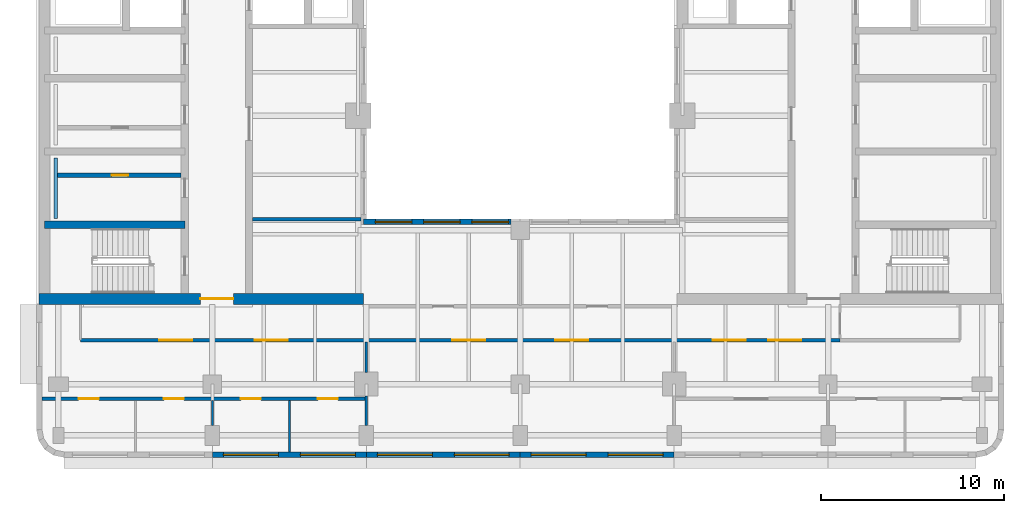
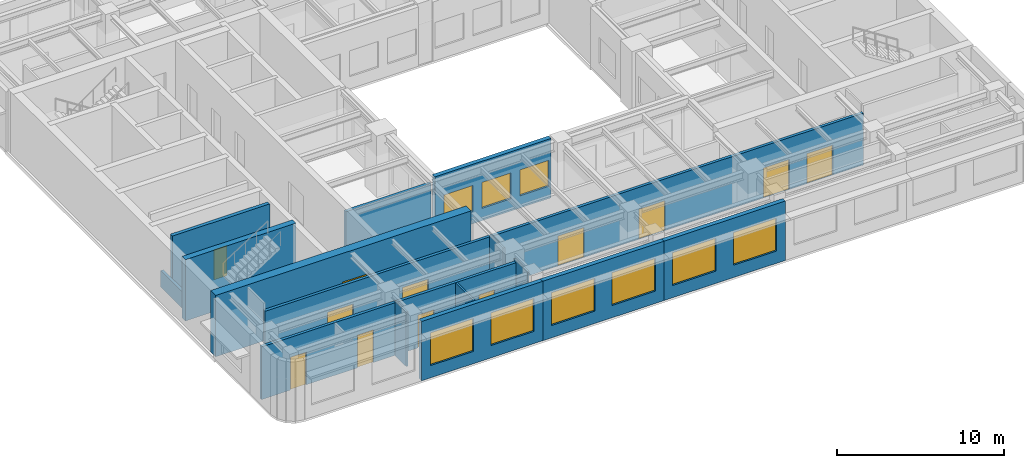
# One storey, part 3 of 11: 15 walls, 12 doors, 9 windows, 21 openings.
"""IFC4 building model written with IfcOpenShell, lengths in metres."""

from ifc_helpers import new_model, si_unit, direction, frame, frame_2d, origin, place, context, subcontext, project, spatial, rectangle, extrude, material, layer, layer_set, type_object, element, fill, save


model = new_model("IFC4")

# Units and contexts
model_context = context("Model", 3, precision=1e-05, world=origin(), true_north=direction((0.0, 1.0)))
body_context = subcontext(model_context, "Body", "Model", "MODEL_VIEW")
ifc_project = project(units=[si_unit("LENGTHUNIT", "METRE"), si_unit("AREAUNIT", "SQUARE_METRE"), si_unit("VOLUMEUNIT", "CUBIC_METRE"), si_unit("PLANEANGLEUNIT", "RADIAN"), si_unit("MASSUNIT", "GRAM", prefix="KILO")], contexts=[model_context])

# Site, building, storey
site_placement = place(None, origin())
site = spatial("IfcSite", under=ifc_project, at=site_placement, CompositionType="ELEMENT")
building_placement = place(site_placement, origin())
building = spatial("IfcBuilding", under=site, at=building_placement, Name="Claustro Exchange Tower", CompositionType="ELEMENT")
storey_placement = place(building_placement, frame((0.0, 0.0, 259.199951171875)))
storey = spatial("IfcBuildingStorey", under=building, at=storey_placement, Name="L59", CompositionType="ELEMENT", Elevation=259.199951171875)

# Walls
ifc_material_1 = material(Name="Laminated glass in aluminium frame", Category="aluminium")
ifc_layer_1 = layer(ifc_material_1, 0.1201171875)
ifc_layer_set_1 = layer_set([ifc_layer_1], Name="Laminated glass in aluminium frame")
wall_type_1 = type_object("IfcWallType", Name="P2 120 glazed partition", PredefinedType="PARTITIONING", material=ifc_layer_set_1)
wall_1_placement = place(storey_placement, frame((8.39990234375, 6.14892578125, 0.0), z_axis=(0.0, 0.0, 1.0), x_axis=(0.0, 1.0, 0.0)))
element("IfcWall", 1, at=wall_1_placement, inside=storey, type_object=wall_type_1, Name="Partition P2 L59", PredefinedType="PARTITIONING", context=body_context, shape_type="SweptSolid", body=[
    extrude(rectangle(XDim=1.35302734375, YDim=0.1201171875, at=frame_2d((0.676513671875, 0.0))), origin(), (0.0, 0.0, 1.0), 3.989990234375),
])
wall_2_placement = place(storey_placement, frame((12.60009765625, 4.699951171875, 0.0), z_axis=(0.0, 0.0, 1.0), x_axis=(0.0, 1.0, 0.0)))
element("IfcWall", 2, at=wall_2_placement, inside=storey, type_object=wall_type_1, Name="Partition P2 L59", PredefinedType="PARTITIONING", context=body_context, shape_type="SweptSolid", body=[
    extrude(rectangle(XDim=2.802001953125, YDim=0.1201171875, at=frame_2d((1.40087890625, 0.0))), origin(), (0.0, 0.0, 1.0), 3.860107421875),
])
wall_3_placement = place(storey_placement, frame((16.800048828125, 6.14892578125, 0.0), z_axis=(0.0, 0.0, 1.0), x_axis=(0.0, 1.0, 0.0)))
element("IfcWall", 3, at=wall_3_placement, inside=storey, type_object=wall_type_1, Name="Partition P2 L59", PredefinedType="PARTITIONING", context=body_context, shape_type="SweptSolid", body=[
    extrude(rectangle(XDim=1.60302734375, YDim=0.1201171875, at=frame_2d((0.801513671875, 0.0))), origin(), (0.0, 0.0, 1.0), 3.989990234375),
])
wall_4_placement = place(storey_placement, frame((16.800048828125, 9.049072265625, 0.0), z_axis=(0.0, 0.0, 1.0), x_axis=(0.0, 1.0, 0.0)))
element("IfcWall", 4, at=wall_4_placement, inside=storey, type_object=wall_type_1, Name="Partition P2 L59", PredefinedType="PARTITIONING", context=body_context, shape_type="SweptSolid", body=[
    extrude(rectangle(XDim=1.65283203125, YDim=0.1201171875, at=frame_2d((0.826416015625, 0.0))), origin(), (0.0, 0.0, 1.0), 3.989990234375),
])
ifc_material_2 = material(Name="Twin-skin gypsum board on steel studs, mineral wool", Category="steel")
ifc_layer_2 = layer(ifc_material_2, 0.199951171875)
ifc_layer_set_2 = layer_set([ifc_layer_2], Name="Twin-skin gypsum board on steel studs, mineral wool")
wall_type_2 = type_object("IfcWallType", Name="P3 200 acoustic partition", PredefinedType="PARTITIONING", material=ifc_layer_set_2)
wall_5_placement = place(storey_placement, frame((10.597900390625, 17.39990234375, 0.0), z_axis=(0.0, 0.0, 1.0), x_axis=(1.0, 0.0, 0.0)))
element("IfcWall", 5, at=wall_5_placement, inside=storey, type_object=wall_type_2, Name="Partition P3 L59", PredefinedType="PARTITIONING", context=body_context, shape_type="SweptSolid", body=[
    extrude(rectangle(XDim=5.904052734375, YDim=0.199951171875, at=frame_2d((2.9521484375, 0.0))), origin(), (0.0, 0.0, 1.0), 3.800048828125),
])

# Wall, openings, doors
wall_6_placement = place(storey_placement, frame((-0.902099609375, 7.60009765625, 0.0), z_axis=(0.0, 0.0, 1.0), x_axis=(1.0, 0.0, 0.0)))
wall_6 = element("IfcWall", 6, at=wall_6_placement, inside=storey, type_object=wall_type_2, Name="Partition P3 L59", PredefinedType="PARTITIONING", context=body_context, shape_type="SweptSolid", body=[
    extrude(rectangle(XDim=17.7021484375, YDim=0.199951171875, at=frame_2d((8.85107421875, 0.0))), origin(), (0.0, 0.0, 1.0), 3.860107421875),
])
opening_1_placement = place(wall_6_placement, frame((2.001953125, 0.0, 0.0)))
opening_1 = element("IfcOpeningElement", 7, at=opening_1_placement, cuts=wall_6, Name="Opening D8", PredefinedType="OPENING", context=body_context, shape_type="SweptSolid", body=[
    extrude(rectangle(XDim=1.10009765625, YDim=2.39990234375, at=frame_2d((0.550048828125, 1.199951171875))), frame((0.0, 0.10986328125, 0.0), z_axis=(0.0, -1.0, 0.0), x_axis=(1.0, 0.0, 0.0)), (0.0, 0.0, 1.0), 0.219970703125),
])
opening_2_placement = place(wall_6_placement, frame((6.652099609375, 0.0, 0.0)))
opening_2 = element("IfcOpeningElement", 8, at=opening_2_placement, cuts=wall_6, Name="Opening D8", PredefinedType="OPENING", context=body_context, shape_type="SweptSolid", body=[
    extrude(rectangle(XDim=1.10009765625, YDim=2.39990234375, at=frame_2d((0.550048828125, 1.199951171875))), frame((0.0, 0.10986328125, 0.0), z_axis=(0.0, -1.0, 0.0), x_axis=(1.0, 0.0, 0.0)), (0.0, 0.0, 1.0), 0.219970703125),
])
opening_3_placement = place(wall_6_placement, frame((10.85205078125, 0.0, 0.0)))
opening_3 = element("IfcOpeningElement", 9, at=opening_3_placement, cuts=wall_6, Name="Opening D8", PredefinedType="OPENING", context=body_context, shape_type="SweptSolid", body=[
    extrude(rectangle(XDim=1.10009765625, YDim=2.39990234375, at=frame_2d((0.550048828125, 1.199951171875))), frame((0.0, 0.10986328125, 0.0), z_axis=(0.0, -1.0, 0.0), x_axis=(1.0, 0.0, 0.0)), (0.0, 0.0, 1.0), 0.219970703125),
])
opening_4_placement = place(wall_6_placement, frame((15.052001953125, 0.0, 0.0)))
opening_4 = element("IfcOpeningElement", 10, at=opening_4_placement, cuts=wall_6, Name="Opening D8", PredefinedType="OPENING", context=body_context, shape_type="SweptSolid", body=[
    extrude(rectangle(XDim=1.10009765625, YDim=2.39990234375, at=frame_2d((0.550048828125, 1.199951171875))), frame((0.0, 0.10986328125, 0.0), z_axis=(0.0, -1.0, 0.0), x_axis=(1.0, 0.0, 0.0)), (0.0, 0.0, 1.0), 0.219970703125),
])
ifc_material_3 = material(Name="Timber door, walnut veneer", Category="wood")
door_type_1 = type_object("IfcDoorType", Name="D8 1100 x 2400 executive door", OperationType="SINGLE_SWING_LEFT", PredefinedType="DOOR", material=ifc_material_3)
door_1_placement = place(opening_1_placement, frame((1.10009765625, 0.0, 0.0), z_axis=(0.0, 0.0, 1.0), x_axis=(-1.0, 0.0, 0.0)))
door_1 = element("IfcDoor", 11, at=door_1_placement, inside=storey, type_object=door_type_1, Name="Door D8 L59", OperationType="SINGLE_SWING_LEFT", OverallHeight=2.39990234375, OverallWidth=1.10009765625, PredefinedType="DOOR", context=body_context, shape_type="SweptSolid", body=[
    extrude(rectangle(XDim=1.10009765625, YDim=2.39990234375, at=frame_2d((0.550048828125, 1.199951171875))), frame((0.0, 0.02490234375, 0.0), z_axis=(0.0, -1.0, 0.0), x_axis=(1.0, 0.0, 0.0)), (0.0, 0.0, 1.0), 0.050048828125),
])
fill(opening_1, door_1)
door_2_placement = place(opening_2_placement, frame((1.10009765625, 0.0, 0.0), z_axis=(0.0, 0.0, 1.0), x_axis=(-1.0, 0.0, 0.0)))
door_2 = element("IfcDoor", 12, at=door_2_placement, inside=storey, type_object=door_type_1, Name="Door D8 L59", OperationType="SINGLE_SWING_LEFT", OverallHeight=2.39990234375, OverallWidth=1.10009765625, PredefinedType="DOOR", context=body_context, shape_type="SweptSolid", body=[
    extrude(rectangle(XDim=1.10009765625, YDim=2.39990234375, at=frame_2d((0.550048828125, 1.199951171875))), frame((0.0, 0.02490234375, 0.0), z_axis=(0.0, -1.0, 0.0), x_axis=(1.0, 0.0, 0.0)), (0.0, 0.0, 1.0), 0.050048828125),
])
fill(opening_2, door_2)
door_3_placement = place(opening_3_placement, frame((1.10009765625, 0.0, 0.0), z_axis=(0.0, 0.0, 1.0), x_axis=(-1.0, 0.0, 0.0)))
door_3 = element("IfcDoor", 13, at=door_3_placement, inside=storey, type_object=door_type_1, Name="Door D8 L59", OperationType="SINGLE_SWING_LEFT", OverallHeight=2.39990234375, OverallWidth=1.10009765625, PredefinedType="DOOR", context=body_context, shape_type="SweptSolid", body=[
    extrude(rectangle(XDim=1.10009765625, YDim=2.39990234375, at=frame_2d((0.550048828125, 1.199951171875))), frame((0.0, 0.02490234375, 0.0), z_axis=(0.0, -1.0, 0.0), x_axis=(1.0, 0.0, 0.0)), (0.0, 0.0, 1.0), 0.050048828125),
])
fill(opening_3, door_3)
door_4_placement = place(opening_4_placement, frame((1.10009765625, 0.0, 0.0), z_axis=(0.0, 0.0, 1.0), x_axis=(-1.0, 0.0, 0.0)))
door_4 = element("IfcDoor", 14, at=door_4_placement, inside=storey, type_object=door_type_1, Name="Door D8 L59", OperationType="SINGLE_SWING_RIGHT", OverallHeight=2.39990234375, OverallWidth=1.10009765625, PredefinedType="DOOR", context=body_context, shape_type="SweptSolid", body=[
    extrude(rectangle(XDim=1.10009765625, YDim=2.39990234375, at=frame_2d((0.550048828125, 1.199951171875))), frame((0.0, 0.02490234375, 0.0), z_axis=(0.0, -1.0, 0.0), x_axis=(1.0, 0.0, 0.0)), (0.0, 0.0, 1.0), 0.050048828125),
])
fill(opening_4, door_4)

wall_7_placement = place(storey_placement, frame((1.199951171875, 10.800048828125, 0.0), z_axis=(0.0, 0.0, 1.0), x_axis=(1.0, 0.0, 0.0)))
wall_7 = element("IfcWall", 15, at=wall_7_placement, inside=storey, type_object=wall_type_2, Name="Partition P3 L59", PredefinedType="PARTITIONING", context=body_context, shape_type="SweptSolid", body=[
    extrude(rectangle(XDim=41.4521484375, YDim=0.199951171875, at=frame_2d((20.72607421875, 0.0))), origin(), (0.0, 0.0, 1.0), 3.800048828125),
])
opening_5_placement = place(wall_7_placement, frame((4.300048828125, 0.0, 0.0)))
opening_5 = element("IfcOpeningElement", 16, at=opening_5_placement, cuts=wall_7, Name="Opening D2", PredefinedType="OPENING", context=body_context, shape_type="SweptSolid", body=[
    extrude(rectangle(XDim=1.800048828125, YDim=2.199951171875, at=frame_2d((0.89990234375, 1.10009765625))), frame((0.0, 0.10986328125, 0.0), z_axis=(0.0, -1.0, 0.0), x_axis=(1.0, 0.0, 0.0)), (0.0, 0.0, 1.0), 0.219970703125),
])
opening_6_placement = place(wall_7_placement, frame((9.5, 0.0, 0.0)))
opening_6 = element("IfcOpeningElement", 17, at=opening_6_placement, cuts=wall_7, Name="Opening D2", PredefinedType="OPENING", context=body_context, shape_type="SweptSolid", body=[
    extrude(rectangle(XDim=1.800048828125, YDim=2.199951171875, at=frame_2d((0.89990234375, 1.10009765625))), frame((0.0, 0.10986328125, 0.0), z_axis=(0.0, -1.0, 0.0), x_axis=(1.0, 0.0, 0.0)), (0.0, 0.0, 1.0), 0.219970703125),
])
opening_7_placement = place(wall_7_placement, frame((20.300048828125, 0.0, 0.0)))
opening_7 = element("IfcOpeningElement", 18, at=opening_7_placement, cuts=wall_7, Name="Opening D2", PredefinedType="OPENING", context=body_context, shape_type="SweptSolid", body=[
    extrude(rectangle(XDim=1.800048828125, YDim=2.199951171875, at=frame_2d((0.89990234375, 1.10009765625))), frame((0.0, 0.10986328125, 0.0), z_axis=(0.0, -1.0, 0.0), x_axis=(1.0, 0.0, 0.0)), (0.0, 0.0, 1.0), 0.219970703125),
])
opening_8_placement = place(wall_7_placement, frame((25.89990234375, 0.0, 0.0)))
opening_8 = element("IfcOpeningElement", 19, at=opening_8_placement, cuts=wall_7, Name="Opening D2", PredefinedType="OPENING", context=body_context, shape_type="SweptSolid", body=[
    extrude(rectangle(XDim=1.800048828125, YDim=2.199951171875, at=frame_2d((0.89990234375, 1.10009765625))), frame((0.0, 0.10986328125, 0.0), z_axis=(0.0, -1.0, 0.0), x_axis=(1.0, 0.0, 0.0)), (0.0, 0.0, 1.0), 0.219970703125),
])
opening_9_placement = place(wall_7_placement, frame((34.5166015625, 0.0, 0.0)))
opening_9 = element("IfcOpeningElement", 20, at=opening_9_placement, cuts=wall_7, Name="Opening D2", PredefinedType="OPENING", context=body_context, shape_type="SweptSolid", body=[
    extrude(rectangle(XDim=1.800048828125, YDim=2.199951171875, at=frame_2d((0.89990234375, 1.10009765625))), frame((0.0, 0.10986328125, 0.0), z_axis=(0.0, -1.0, 0.0), x_axis=(1.0, 0.0, 0.0)), (0.0, 0.0, 1.0), 0.219970703125),
])
opening_10_placement = place(wall_7_placement, frame((37.533203125, 0.0, 0.0)))
opening_10 = element("IfcOpeningElement", 21, at=opening_10_placement, cuts=wall_7, Name="Opening D2", PredefinedType="OPENING", context=body_context, shape_type="SweptSolid", body=[
    extrude(rectangle(XDim=1.800048828125, YDim=2.199951171875, at=frame_2d((0.89990234375, 1.10009765625))), frame((0.0, 0.10986328125, 0.0), z_axis=(0.0, -1.0, 0.0), x_axis=(1.0, 0.0, 0.0)), (0.0, 0.0, 1.0), 0.219970703125),
])
ifc_material_4 = material(Name="Timber door, oak veneer", Category="wood")
door_type_2 = type_object("IfcDoorType", Name="D2 1800 x 2200 double door", OperationType="DOUBLE_DOOR_SINGLE_SWING", PredefinedType="DOOR", material=ifc_material_4)
door_5_placement = place(opening_5_placement, frame((1.800048828125, 0.0, 0.0), z_axis=(0.0, 0.0, 1.0), x_axis=(-1.0, 0.0, 0.0)))
door_5 = element("IfcDoor", 22, at=door_5_placement, inside=storey, type_object=door_type_2, Name="Double door D2 L59", OperationType="DOUBLE_DOOR_SINGLE_SWING", OverallHeight=2.199951171875, OverallWidth=1.800048828125, PredefinedType="DOOR", context=body_context, shape_type="SweptSolid", body=[
    extrude(rectangle(XDim=1.800048828125, YDim=2.199951171875, at=frame_2d((0.89990234375, 1.10009765625))), frame((0.0, 0.02490234375, 0.0), z_axis=(0.0, -1.0, 0.0), x_axis=(1.0, 0.0, 0.0)), (0.0, 0.0, 1.0), 0.050048828125),
])
fill(opening_5, door_5)
door_6_placement = place(opening_6_placement, frame((1.800048828125, 0.0, 0.0), z_axis=(0.0, 0.0, 1.0), x_axis=(-1.0, 0.0, 0.0)))
door_6 = element("IfcDoor", 23, at=door_6_placement, inside=storey, type_object=door_type_2, Name="Double door D2 L59", OperationType="DOUBLE_DOOR_SINGLE_SWING", OverallHeight=2.199951171875, OverallWidth=1.800048828125, PredefinedType="DOOR", context=body_context, shape_type="SweptSolid", body=[
    extrude(rectangle(XDim=1.800048828125, YDim=2.199951171875, at=frame_2d((0.89990234375, 1.10009765625))), frame((0.0, 0.02490234375, 0.0), z_axis=(0.0, -1.0, 0.0), x_axis=(1.0, 0.0, 0.0)), (0.0, 0.0, 1.0), 0.050048828125),
])
fill(opening_6, door_6)
door_7_placement = place(opening_7_placement, frame((1.800048828125, 0.0, 0.0), z_axis=(0.0, 0.0, 1.0), x_axis=(-1.0, 0.0, 0.0)))
door_7 = element("IfcDoor", 24, at=door_7_placement, inside=storey, type_object=door_type_2, Name="Double door D2 L59", OperationType="DOUBLE_DOOR_SINGLE_SWING", OverallHeight=2.199951171875, OverallWidth=1.800048828125, PredefinedType="DOOR", context=body_context, shape_type="SweptSolid", body=[
    extrude(rectangle(XDim=1.800048828125, YDim=2.199951171875, at=frame_2d((0.89990234375, 1.10009765625))), frame((0.0, 0.02490234375, 0.0), z_axis=(0.0, -1.0, 0.0), x_axis=(1.0, 0.0, 0.0)), (0.0, 0.0, 1.0), 0.050048828125),
])
fill(opening_7, door_7)
door_8_placement = place(opening_8_placement, frame((1.800048828125, 0.0, 0.0), z_axis=(0.0, 0.0, 1.0), x_axis=(-1.0, 0.0, 0.0)))
door_8 = element("IfcDoor", 25, at=door_8_placement, inside=storey, type_object=door_type_2, Name="Double door D2 L59", OperationType="DOUBLE_DOOR_SINGLE_SWING", OverallHeight=2.199951171875, OverallWidth=1.800048828125, PredefinedType="DOOR", context=body_context, shape_type="SweptSolid", body=[
    extrude(rectangle(XDim=1.800048828125, YDim=2.199951171875, at=frame_2d((0.89990234375, 1.10009765625))), frame((0.0, 0.02490234375, 0.0), z_axis=(0.0, -1.0, 0.0), x_axis=(1.0, 0.0, 0.0)), (0.0, 0.0, 1.0), 0.050048828125),
])
fill(opening_8, door_8)
door_9_placement = place(opening_9_placement, frame((1.800048828125, 0.0, 0.0), z_axis=(0.0, 0.0, 1.0), x_axis=(-1.0, 0.0, 0.0)))
door_9 = element("IfcDoor", 26, at=door_9_placement, inside=storey, type_object=door_type_2, Name="Double door D2 L59", OperationType="DOUBLE_DOOR_SINGLE_SWING", OverallHeight=2.199951171875, OverallWidth=1.800048828125, PredefinedType="DOOR", context=body_context, shape_type="SweptSolid", body=[
    extrude(rectangle(XDim=1.800048828125, YDim=2.199951171875, at=frame_2d((0.89990234375, 1.10009765625))), frame((0.0, 0.02490234375, 0.0), z_axis=(0.0, -1.0, 0.0), x_axis=(1.0, 0.0, 0.0)), (0.0, 0.0, 1.0), 0.050048828125),
])
fill(opening_9, door_9)
door_10_placement = place(opening_10_placement, frame((1.800048828125, 0.0, 0.0), z_axis=(0.0, 0.0, 1.0), x_axis=(-1.0, 0.0, 0.0)))
door_10 = element("IfcDoor", 27, at=door_10_placement, inside=storey, type_object=door_type_2, Name="Double door D2 L59", OperationType="DOUBLE_DOOR_SINGLE_SWING", OverallHeight=2.199951171875, OverallWidth=1.800048828125, PredefinedType="DOOR", context=body_context, shape_type="SweptSolid", body=[
    extrude(rectangle(XDim=1.800048828125, YDim=2.199951171875, at=frame_2d((0.89990234375, 1.10009765625))), frame((0.0, 0.02490234375, 0.0), z_axis=(0.0, -1.0, 0.0), x_axis=(1.0, 0.0, 0.0)), (0.0, 0.0, 1.0), 0.050048828125),
])
fill(opening_10, door_10)

# Wall, opening, door
ifc_material_5 = material(Name="Concrete blockwork, rendered", Category="masonry")
ifc_layer_3 = layer(ifc_material_5, 0.25)
ifc_layer_set_3 = layer_set([ifc_layer_3], Name="Concrete blockwork, rendered")
wall_type_3 = type_object("IfcWallType", Name="P4 250 blockwork wall", PredefinedType="PARTITIONING", material=ifc_layer_set_3)
wall_8_placement = place(storey_placement, frame((-0.050048828125, 19.800048828125, 0.0), z_axis=(0.0, 0.0, 1.0), x_axis=(1.0, 0.0, 0.0)))
wall_8 = element("IfcWall", 28, at=wall_8_placement, inside=storey, type_object=wall_type_3, Name="Partition P4 L59", PredefinedType="PARTITIONING", context=body_context, shape_type="SweptSolid", body=[
    extrude(rectangle(XDim=6.75, YDim=0.25, at=frame_2d((3.375, 0.0))), origin(), (0.0, 0.0, 1.0), 4.300048828125),
])
opening_11_placement = place(wall_8_placement, frame((2.949951171875, 0.0, 0.0)))
opening_11 = element("IfcOpeningElement", 29, at=opening_11_placement, cuts=wall_8, Name="Opening D5", PredefinedType="OPENING", context=body_context, shape_type="SweptSolid", body=[
    extrude(rectangle(XDim=0.89990234375, YDim=2.199951171875, at=frame_2d((0.449951171875, 1.10009765625))), frame((0.0, 0.135009765625, 0.0), z_axis=(0.0, -1.0, 0.0), x_axis=(1.0, 0.0, 0.0)), (0.0, 0.0, 1.0), 0.27001953125),
])
ifc_material_6 = material(Name="Steel door, painted", Category="steel")
door_type_3 = type_object("IfcDoorType", Name="D5 900 x 2200 store door", OperationType="SINGLE_SWING_LEFT", PredefinedType="DOOR", material=ifc_material_6)
door_11_placement = place(opening_11_placement, origin())
door_11 = element("IfcDoor", 30, at=door_11_placement, inside=storey, type_object=door_type_3, Name="Store door D5 L59", OperationType="SINGLE_SWING_RIGHT", OverallHeight=2.199951171875, OverallWidth=0.89990234375, PredefinedType="DOOR", context=body_context, shape_type="SweptSolid", body=[
    extrude(rectangle(XDim=0.89990234375, YDim=2.199951171875, at=frame_2d((0.449951171875, 1.10009765625))), frame((0.0, 0.02490234375, 0.0), z_axis=(0.0, -1.0, 0.0), x_axis=(1.0, 0.0, 0.0)), (0.0, 0.0, 1.0), 0.050048828125),
])
fill(opening_11, door_11)

# Wall, openings, windows
ifc_material_7 = material(Name="Concrete HA-40 (C40/50), precast, white cement, acid-etched", Category="concrete")
ifc_layer_4 = layer(ifc_material_7, 0.300048828125)
ifc_layer_set_4 = layer_set([ifc_layer_4], Name="Concrete HA-40 (C40/50), precast, white cement, acid-etched")
wall_type_4 = type_object("IfcWallType", Name="PC1 300 precast concrete pier panel", PredefinedType="SOLIDWALL", material=ifc_layer_set_4)
wall_9_placement = place(storey_placement, frame((33.60009765625, 4.550048828125, 0.0), z_axis=(0.0, 0.0, 1.0), x_axis=(-1.0, 0.0, 0.0)))
wall_9 = element("IfcWall", 31, at=wall_9_placement, inside=storey, type_object=wall_type_4, Name="Precast pier panel PC1 L59", PredefinedType="SOLIDWALL", context=body_context, shape_type="SweptSolid", body=[
    extrude(rectangle(XDim=8.400146484375, YDim=0.300048828125, at=frame_2d((4.2001953125, 0.0))), origin(), (0.0, 0.0, 1.0), 4.35009765625),
])
opening_12_placement = place(wall_9_placement, frame((0.60009765625, 0.0, 0.89990234375)))
opening_12 = element("IfcOpeningElement", 32, at=opening_12_placement, cuts=wall_9, Name="Opening W3", PredefinedType="OPENING", context=body_context, shape_type="SweptSolid", body=[
    extrude(rectangle(XDim=3.0, YDim=2.39990234375, at=frame_2d((1.5, 1.199951171875))), frame((0.0, 0.159912109375, 0.0), z_axis=(0.0, -1.0, 0.0), x_axis=(1.0, 0.0, 0.0)), (0.0, 0.0, 1.0), 0.320068359375),
])
opening_13_placement = place(wall_9_placement, frame((4.800048828125, 0.0, 0.89990234375)))
opening_13 = element("IfcOpeningElement", 33, at=opening_13_placement, cuts=wall_9, Name="Opening W3", PredefinedType="OPENING", context=body_context, shape_type="SweptSolid", body=[
    extrude(rectangle(XDim=3.0, YDim=2.39990234375, at=frame_2d((1.5, 1.199951171875))), frame((0.0, 0.159912109375, 0.0), z_axis=(0.0, -1.0, 0.0), x_axis=(1.0, 0.0, 0.0)), (0.0, 0.0, 1.0), 0.320068359375),
])
ifc_material_8 = material(Name="Aluminium frame, clear double glazing", Category="aluminium")
window_type_1 = type_object("IfcWindowType", Name="W3 3000 x 2400 window", PartitioningType="SINGLE_PANEL", PredefinedType="WINDOW", material=ifc_material_8)
window_1_placement = place(opening_12_placement, origin())
window_1 = element("IfcWindow", 34, at=window_1_placement, inside=storey, type_object=window_type_1, Name="Window W3 L59", OverallHeight=2.39990234375, OverallWidth=3.0, PartitioningType="SINGLE_PANEL", PredefinedType="WINDOW", context=body_context, shape_type="SweptSolid", body=[
    extrude(rectangle(XDim=3.0, YDim=2.39990234375, at=frame_2d((1.5, 1.199951171875))), frame((0.0, 0.030029296875, 0.0), z_axis=(0.0, -1.0, 0.0), x_axis=(1.0, 0.0, 0.0)), (0.0, 0.0, 1.0), 0.06005859375),
])
fill(opening_12, window_1)
window_2_placement = place(opening_13_placement, origin())
window_2 = element("IfcWindow", 35, at=window_2_placement, inside=storey, type_object=window_type_1, Name="Window W3 L59", OverallHeight=2.39990234375, OverallWidth=3.0, PartitioningType="SINGLE_PANEL", PredefinedType="WINDOW", context=body_context, shape_type="SweptSolid", body=[
    extrude(rectangle(XDim=3.0, YDim=2.39990234375, at=frame_2d((1.5, 1.199951171875))), frame((0.0, 0.030029296875, 0.0), z_axis=(0.0, -1.0, 0.0), x_axis=(1.0, 0.0, 0.0)), (0.0, 0.0, 1.0), 0.06005859375),
])
fill(opening_13, window_2)

wall_10_placement = place(storey_placement, frame((25.199951171875, 4.550048828125, 0.0), z_axis=(0.0, 0.0, 1.0), x_axis=(-1.0, 0.0, 0.0)))
wall_10 = element("IfcWall", 36, at=wall_10_placement, inside=storey, type_object=wall_type_4, Name="Precast pier panel PC1 L59", PredefinedType="SOLIDWALL", context=body_context, shape_type="SweptSolid", body=[
    extrude(rectangle(XDim=8.39990234375, YDim=0.300048828125, at=frame_2d((4.199951171875, 0.0))), origin(), (0.0, 0.0, 1.0), 4.35009765625),
])
opening_14_placement = place(wall_10_placement, frame((0.60009765625, 0.0, 0.89990234375)))
opening_14 = element("IfcOpeningElement", 37, at=opening_14_placement, cuts=wall_10, Name="Opening W3", PredefinedType="OPENING", context=body_context, shape_type="SweptSolid", body=[
    extrude(rectangle(XDim=3.0, YDim=2.39990234375, at=frame_2d((1.5, 1.199951171875))), frame((0.0, 0.159912109375, 0.0), z_axis=(0.0, -1.0, 0.0), x_axis=(1.0, 0.0, 0.0)), (0.0, 0.0, 1.0), 0.320068359375),
])
opening_15_placement = place(wall_10_placement, frame((4.800048828125, 0.0, 0.89990234375)))
opening_15 = element("IfcOpeningElement", 38, at=opening_15_placement, cuts=wall_10, Name="Opening W3", PredefinedType="OPENING", context=body_context, shape_type="SweptSolid", body=[
    extrude(rectangle(XDim=3.0, YDim=2.39990234375, at=frame_2d((1.5, 1.199951171875))), frame((0.0, 0.159912109375, 0.0), z_axis=(0.0, -1.0, 0.0), x_axis=(1.0, 0.0, 0.0)), (0.0, 0.0, 1.0), 0.320068359375),
])
window_3_placement = place(opening_14_placement, origin())
window_3 = element("IfcWindow", 39, at=window_3_placement, inside=storey, type_object=window_type_1, Name="Window W3 L59", OverallHeight=2.39990234375, OverallWidth=3.0, PartitioningType="SINGLE_PANEL", PredefinedType="WINDOW", context=body_context, shape_type="SweptSolid", body=[
    extrude(rectangle(XDim=3.0, YDim=2.39990234375, at=frame_2d((1.5, 1.199951171875))), frame((0.0, 0.030029296875, 0.0), z_axis=(0.0, -1.0, 0.0), x_axis=(1.0, 0.0, 0.0)), (0.0, 0.0, 1.0), 0.06005859375),
])
fill(opening_14, window_3)
window_4_placement = place(opening_15_placement, origin())
window_4 = element("IfcWindow", 40, at=window_4_placement, inside=storey, type_object=window_type_1, Name="Window W3 L59", OverallHeight=2.39990234375, OverallWidth=3.0, PartitioningType="SINGLE_PANEL", PredefinedType="WINDOW", context=body_context, shape_type="SweptSolid", body=[
    extrude(rectangle(XDim=3.0, YDim=2.39990234375, at=frame_2d((1.5, 1.199951171875))), frame((0.0, 0.030029296875, 0.0), z_axis=(0.0, -1.0, 0.0), x_axis=(1.0, 0.0, 0.0)), (0.0, 0.0, 1.0), 0.06005859375),
])
fill(opening_15, window_4)

wall_11_placement = place(storey_placement, frame((16.800048828125, 4.550048828125, 0.0), z_axis=(0.0, 0.0, 1.0), x_axis=(-1.0, 0.0, 0.0)))
wall_11 = element("IfcWall", 41, at=wall_11_placement, inside=storey, type_object=wall_type_4, Name="Precast pier panel PC1 L59", PredefinedType="SOLIDWALL", context=body_context, shape_type="SweptSolid", body=[
    extrude(rectangle(XDim=8.400146484375, YDim=0.300048828125, at=frame_2d((4.2001953125, 0.0))), origin(), (0.0, 0.0, 1.0), 4.35009765625),
])
opening_16_placement = place(wall_11_placement, frame((0.60009765625, 0.0, 0.89990234375)))
opening_16 = element("IfcOpeningElement", 42, at=opening_16_placement, cuts=wall_11, Name="Opening W3", PredefinedType="OPENING", context=body_context, shape_type="SweptSolid", body=[
    extrude(rectangle(XDim=3.0, YDim=2.39990234375, at=frame_2d((1.5, 1.199951171875))), frame((0.0, 0.159912109375, 0.0), z_axis=(0.0, -1.0, 0.0), x_axis=(1.0, 0.0, 0.0)), (0.0, 0.0, 1.0), 0.320068359375),
])
opening_17_placement = place(wall_11_placement, frame((4.800048828125, 0.0, 0.89990234375)))
opening_17 = element("IfcOpeningElement", 43, at=opening_17_placement, cuts=wall_11, Name="Opening W3", PredefinedType="OPENING", context=body_context, shape_type="SweptSolid", body=[
    extrude(rectangle(XDim=3.0, YDim=2.39990234375, at=frame_2d((1.5, 1.199951171875))), frame((0.0, 0.159912109375, 0.0), z_axis=(0.0, -1.0, 0.0), x_axis=(1.0, 0.0, 0.0)), (0.0, 0.0, 1.0), 0.320068359375),
])
window_5_placement = place(opening_16_placement, origin())
window_5 = element("IfcWindow", 44, at=window_5_placement, inside=storey, type_object=window_type_1, Name="Window W3 L59", OverallHeight=2.39990234375, OverallWidth=3.0, PartitioningType="SINGLE_PANEL", PredefinedType="WINDOW", context=body_context, shape_type="SweptSolid", body=[
    extrude(rectangle(XDim=3.0, YDim=2.39990234375, at=frame_2d((1.5, 1.199951171875))), frame((0.0, 0.030029296875, 0.0), z_axis=(0.0, -1.0, 0.0), x_axis=(1.0, 0.0, 0.0)), (0.0, 0.0, 1.0), 0.06005859375),
])
fill(opening_16, window_5)
window_6_placement = place(opening_17_placement, origin())
window_6 = element("IfcWindow", 45, at=window_6_placement, inside=storey, type_object=window_type_1, Name="Window W3 L59", OverallHeight=2.39990234375, OverallWidth=3.0, PartitioningType="SINGLE_PANEL", PredefinedType="WINDOW", context=body_context, shape_type="SweptSolid", body=[
    extrude(rectangle(XDim=3.0, YDim=2.39990234375, at=frame_2d((1.5, 1.199951171875))), frame((0.0, 0.030029296875, 0.0), z_axis=(0.0, -1.0, 0.0), x_axis=(1.0, 0.0, 0.0)), (0.0, 0.0, 1.0), 0.06005859375),
])
fill(opening_17, window_6)

wall_12_placement = place(storey_placement, frame((16.64990234375, 17.25, 0.0), z_axis=(0.0, 0.0, 1.0), x_axis=(1.0, 0.0, 0.0)))
wall_12 = element("IfcWall", 46, at=wall_12_placement, inside=storey, type_object=wall_type_4, Name="Precast pier panel PC1 L59", PredefinedType="SOLIDWALL", context=body_context, shape_type="SweptSolid", body=[
    extrude(rectangle(XDim=8.050048828125, YDim=0.300048828125, at=frame_2d((4.02490234375, 0.0))), origin(), (0.0, 0.0, 1.0), 4.35009765625),
])
opening_18_placement = place(wall_12_placement, frame((0.637451171875, 0.0, 0.89990234375)))
opening_18 = element("IfcOpeningElement", 47, at=opening_18_placement, cuts=wall_12, Name="Opening W4", PredefinedType="OPENING", context=body_context, shape_type="SweptSolid", body=[
    extrude(rectangle(XDim=2.0, YDim=1.89990234375, at=frame_2d((1.0, 0.949951171875))), frame((0.0, 0.159912109375, 0.0), z_axis=(0.0, -1.0, 0.0), x_axis=(1.0, 0.0, 0.0)), (0.0, 0.0, 1.0), 0.320068359375),
])
opening_19_placement = place(wall_12_placement, frame((3.27490234375, 0.0, 0.89990234375)))
opening_19 = element("IfcOpeningElement", 48, at=opening_19_placement, cuts=wall_12, Name="Opening W4", PredefinedType="OPENING", context=body_context, shape_type="SweptSolid", body=[
    extrude(rectangle(XDim=2.0, YDim=1.89990234375, at=frame_2d((1.0, 0.949951171875))), frame((0.0, 0.159912109375, 0.0), z_axis=(0.0, -1.0, 0.0), x_axis=(1.0, 0.0, 0.0)), (0.0, 0.0, 1.0), 0.320068359375),
])
opening_20_placement = place(wall_12_placement, frame((5.91259765625, 0.0, 0.89990234375)))
opening_20 = element("IfcOpeningElement", 49, at=opening_20_placement, cuts=wall_12, Name="Opening W4", PredefinedType="OPENING", context=body_context, shape_type="SweptSolid", body=[
    extrude(rectangle(XDim=2.0, YDim=1.89990234375, at=frame_2d((1.0, 0.949951171875))), frame((0.0, 0.159912109375, 0.0), z_axis=(0.0, -1.0, 0.0), x_axis=(1.0, 0.0, 0.0)), (0.0, 0.0, 1.0), 0.320068359375),
])
ifc_material_9 = material(Name="Aluminium frame, clear double glazing", Category="aluminium")
window_type_2 = type_object("IfcWindowType", Name="W4 2000 x 1900 light well window", PartitioningType="SINGLE_PANEL", PredefinedType="WINDOW", material=ifc_material_9)
window_7_placement = place(opening_18_placement, origin())
window_7 = element("IfcWindow", 50, at=window_7_placement, inside=storey, type_object=window_type_2, Name="Window W4 L59", OverallHeight=1.89990234375, OverallWidth=2.0, PartitioningType="SINGLE_PANEL", PredefinedType="WINDOW", context=body_context, shape_type="SweptSolid", body=[
    extrude(rectangle(XDim=2.0, YDim=1.89990234375, at=frame_2d((1.0, 0.949951171875))), frame((0.0, 0.030029296875, 0.0), z_axis=(0.0, -1.0, 0.0), x_axis=(1.0, 0.0, 0.0)), (0.0, 0.0, 1.0), 0.06005859375),
])
fill(opening_18, window_7)
window_8_placement = place(opening_19_placement, origin())
window_8 = element("IfcWindow", 51, at=window_8_placement, inside=storey, type_object=window_type_2, Name="Window W4 L59", OverallHeight=1.89990234375, OverallWidth=2.0, PartitioningType="SINGLE_PANEL", PredefinedType="WINDOW", context=body_context, shape_type="SweptSolid", body=[
    extrude(rectangle(XDim=2.0, YDim=1.89990234375, at=frame_2d((1.0, 0.949951171875))), frame((0.0, 0.030029296875, 0.0), z_axis=(0.0, -1.0, 0.0), x_axis=(1.0, 0.0, 0.0)), (0.0, 0.0, 1.0), 0.06005859375),
])
fill(opening_19, window_8)
window_9_placement = place(opening_20_placement, origin())
window_9 = element("IfcWindow", 52, at=window_9_placement, inside=storey, type_object=window_type_2, Name="Window W4 L59", OverallHeight=1.89990234375, OverallWidth=2.0, PartitioningType="SINGLE_PANEL", PredefinedType="WINDOW", context=body_context, shape_type="SweptSolid", body=[
    extrude(rectangle(XDim=2.0, YDim=1.89990234375, at=frame_2d((1.0, 0.949951171875))), frame((0.0, 0.030029296875, 0.0), z_axis=(0.0, -1.0, 0.0), x_axis=(1.0, 0.0, 0.0)), (0.0, 0.0, 1.0), 0.06005859375),
])
fill(opening_20, window_9)

# Wall
ifc_material_10 = material(Name="Gypsum board on steel studs, tiled", Category="steel")
ifc_layer_5 = layer(ifc_material_10, 0.199951171875)
ifc_layer_set_5 = layer_set([ifc_layer_5], Name="Gypsum board on steel studs, tiled")
wall_type_5 = type_object("IfcWallType", Name="PW1 200 WC duct wall", PredefinedType="PLUMBINGWALL", material=ifc_layer_set_5)
wall_13_placement = place(storey_placement, frame((-0.14990234375, 17.449951171875, 0.0), z_axis=(0.0, 0.0, 1.0), x_axis=(0.0, 1.0, 0.0)))
element("IfcWall", 53, at=wall_13_placement, inside=storey, type_object=wall_type_5, Name="WC duct wall PW1 L59", PredefinedType="PLUMBINGWALL", context=body_context, shape_type="SweptSolid", body=[
    extrude(rectangle(XDim=3.300048828125, YDim=0.199951171875, at=frame_2d((1.64990234375, 0.0))), origin(), (0.0, 0.0, 1.0), 1.199951171875),
])

# Wall, opening, door
ifc_material_11 = material(Name="Concrete HA-50 (C50/60)", Category="concrete")
ifc_layer_6 = layer(ifc_material_11, 0.60009765625)
ifc_layer_set_6 = layer_set([ifc_layer_6], Name="Concrete HA-50 (C50/60)")
wall_type_6 = type_object("IfcWallType", Name="SW3 600 core shear wall", PredefinedType="SHEAR", material=ifc_layer_set_6)
wall_14_placement = place(storey_placement, frame((-1.050048828125, 13.050048828125, 0.0), z_axis=(0.0, 0.0, 1.0), x_axis=(1.0, 0.0, 0.0)))
wall_14 = element("IfcWall", 54, at=wall_14_placement, inside=storey, type_object=wall_type_6, Name="Core wall SW3 W core S face L59", PredefinedType="SHEAR", context=body_context, shape_type="SweptSolid", body=[
    extrude(rectangle(XDim=17.699951171875, YDim=0.60009765625, at=frame_2d((8.85009765625, 0.0))), origin(), (0.0, 0.0, 1.0), 4.5),
])
opening_21_placement = place(wall_14_placement, frame((8.800048828125, 0.0, 0.0)))
opening_21 = element("IfcOpeningElement", 55, at=opening_21_placement, cuts=wall_14, Name="Opening D3", PredefinedType="OPENING", context=body_context, shape_type="SweptSolid", body=[
    extrude(rectangle(XDim=1.800048828125, YDim=2.39990234375, at=frame_2d((0.89990234375, 1.199951171875))), frame((0.0, 0.31005859375, 0.0), z_axis=(0.0, -1.0, 0.0), x_axis=(1.0, 0.0, 0.0)), (0.0, 0.0, 1.0), 0.6201171875),
])
ifc_material_12 = material(Name="Steel fire door, painted", Category="steel")
door_type_4 = type_object("IfcDoorType", Name="D3 1800 x 2400 fire-rated lobby double door", OperationType="DOUBLE_DOOR_SINGLE_SWING", PredefinedType="DOOR", material=ifc_material_12)
door_12_placement = place(opening_21_placement, origin())
door_12 = element("IfcDoor", 56, at=door_12_placement, inside=storey, type_object=door_type_4, Name="Lift lobby door D3 L59", OperationType="DOUBLE_DOOR_SINGLE_SWING", OverallHeight=2.39990234375, OverallWidth=1.800048828125, PredefinedType="DOOR", context=body_context, shape_type="SweptSolid", body=[
    extrude(rectangle(XDim=1.800048828125, YDim=2.39990234375, at=frame_2d((0.89990234375, 1.199951171875))), frame((0.0, 0.02490234375, 0.0), z_axis=(0.0, -1.0, 0.0), x_axis=(1.0, 0.0, 0.0)), (0.0, 0.0, 1.0), 0.050048828125),
])
fill(opening_21, door_12)

# Wall
ifc_material_13 = material(Name="Concrete HA-50 (C50/60)", Category="concrete")
ifc_layer_7 = layer(ifc_material_13, 0.39990234375)
ifc_layer_set_7 = layer_set([ifc_layer_7], Name="Concrete HA-50 (C50/60)")
wall_type_7 = type_object("IfcWallType", Name="SW4 400 internal core wall", PredefinedType="SHEAR", material=ifc_layer_set_7)
wall_15_placement = place(storey_placement, frame((-0.75, 17.10009765625, 0.0), z_axis=(0.0, 0.0, 1.0), x_axis=(1.0, 0.0, 0.0)))
element("IfcWall", 57, at=wall_15_placement, inside=storey, type_object=wall_type_7, Name="Internal core wall SW4 W core L59", PredefinedType="SHEAR", context=body_context, shape_type="SweptSolid", body=[
    extrude(rectangle(XDim=7.64990234375, YDim=0.39990234375, at=frame_2d((3.824951171875, 0.0))), origin(), (0.0, 0.0, 1.0), 4.5),
])

save(model, "model.ifc")
